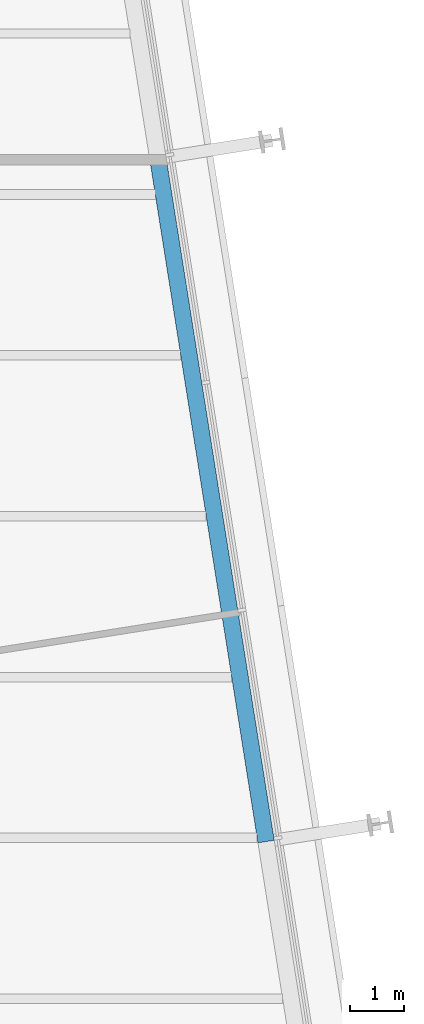
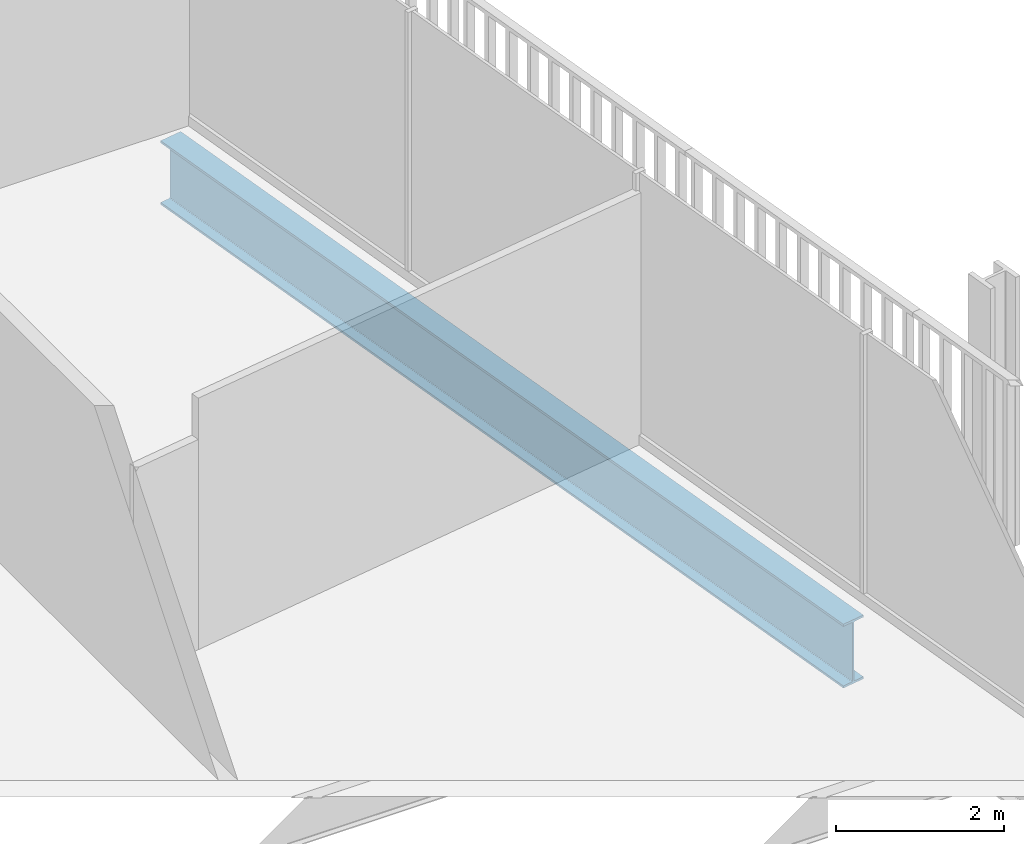
# One storey, part 9 of 21: 1 beam.
"""IFC4 building model written with IfcOpenShell, lengths in metres."""

from ifc_helpers import new_model, si_unit, direction, frame, origin, origin_2d, place, context, subcontext, project, spatial, i_section, extrude, material, material_profile, profile_set, type_object, element, save


model = new_model("IFC4")

# Units and contexts
model_context = context("Model", 3, precision=1e-05, world=origin(), true_north=direction((0.0, 1.0)))
body_context = subcontext(model_context, "Body", "Model", "MODEL_VIEW")
ifc_project = project(units=[si_unit("LENGTHUNIT", "METRE"), si_unit("AREAUNIT", "SQUARE_METRE"), si_unit("VOLUMEUNIT", "CUBIC_METRE"), si_unit("PLANEANGLEUNIT", "RADIAN"), si_unit("MASSUNIT", "GRAM", prefix="KILO")], contexts=[model_context])

# Site, building, storey
site_placement = place(None, origin())
site = spatial("IfcSite", under=ifc_project, at=site_placement, CompositionType="ELEMENT")
building_placement = place(site_placement, origin())
building = spatial("IfcBuilding", under=site, at=building_placement, Name="Millrace Tower", CompositionType="ELEMENT")
storey_placement = place(building_placement, frame((0.0, 0.0, 191.699951171875)))
storey = spatial("IfcBuildingStorey", under=building, at=storey_placement, Name="L43", CompositionType="ELEMENT", Elevation=191.699951171875)

# Beam
ifc_material = material(Name="Steel ASTM A992 Grade 50", Category="steel")
ifc_material_profile = material_profile(ifc_material, i_section(OverallWidth=0.307373046875, OverallDepth=0.927001953125, WebThickness=0.01953125, FlangeThickness=0.031982421875, FilletRadius=0.01904296875, at=origin_2d()))
ifc_profile_set = profile_set([ifc_material_profile], Name="Steel ASTM A992 Grade 50")
beam_type = type_object("IfcBeamType", Name="Ring beam medium span W36x194", PredefinedType="SPANDREL", material=ifc_profile_set)
beam_placement = place(storey_placement, frame((23.25, 9.6728515625, -0.62353515625), z_axis=(0.15642030113, -0.987690583834, 0.0), x_axis=(0.987690583834, 0.15642030113, 0.0)))
element("IfcBeam", 1, at=beam_placement, inside=storey, type_object=beam_type, Name="RNG-C-L43-S1-10", PredefinedType="SPANDREL", context=body_context, shape_type="SweptSolid", body=[
    extrude(i_section(OverallWidth=0.307373046875, OverallDepth=0.927001953125, WebThickness=0.01953125, FlangeThickness=0.031982421875, FilletRadius=0.01904296875, at=origin_2d()), origin(), (0.0, 0.0, 1.0), 12.89990234375),
])

save(model, "model.ifc")
